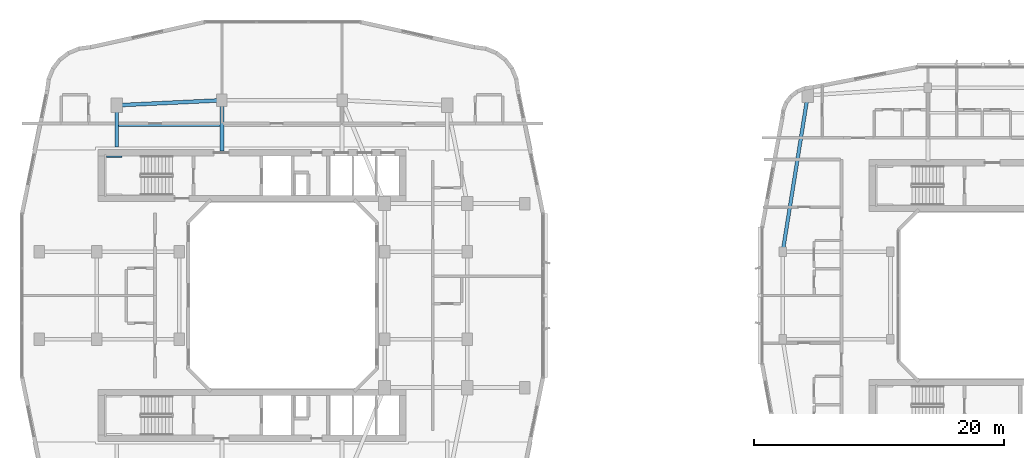
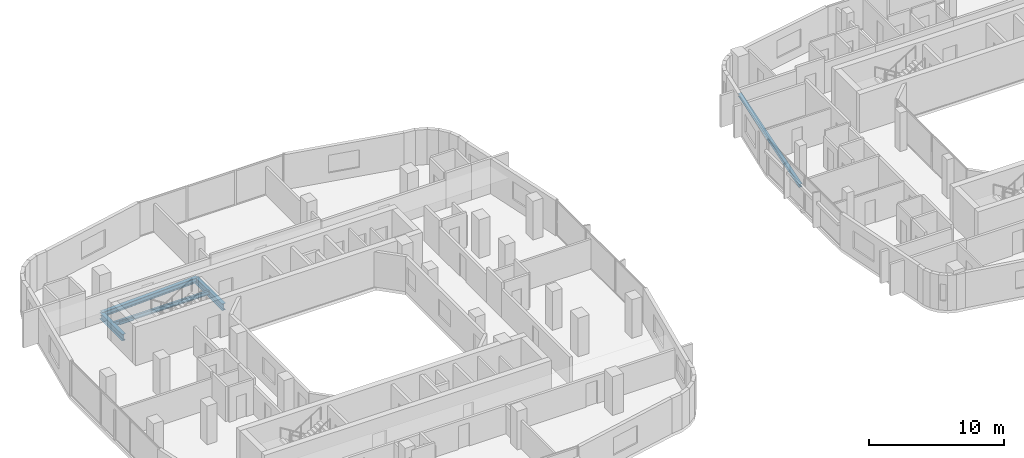
# One storey, part 6 of 25: 6 beams.
"""IFC4 building model written with IfcOpenShell, lengths in metres."""

from ifc_helpers import new_model, si_unit, derived_unit, direction, frame, origin, origin_2d, place, context, subcontext, project, spatial, i_section, extrude, material, material_profile, profile_set, type_object, element, save


model = new_model("IFC4")

# Units and contexts
model_context = context("Model", 3, precision=1e-05, world=origin(), true_north=direction((0.0, 1.0)))
body_context = subcontext(model_context, "Body", "Model", "MODEL_VIEW")
ifc_project = project(units=[si_unit("LENGTHUNIT", "METRE"), si_unit("AREAUNIT", "SQUARE_METRE"), si_unit("VOLUMEUNIT", "CUBIC_METRE"), si_unit("PLANEANGLEUNIT", "RADIAN"), si_unit("MASSUNIT", "GRAM", prefix="KILO"), derived_unit("THERMALTRANSMITTANCEUNIT", [(si_unit("POWERUNIT", "WATT"), 1), (si_unit("LENGTHUNIT", "METRE"), -2), (si_unit("THERMODYNAMICTEMPERATUREUNIT", "KELVIN"), -1)])], contexts=[model_context])

# Site, building, storey
site_placement = place(None, origin())
site = spatial("IfcSite", under=ifc_project, at=site_placement, CompositionType="ELEMENT")
building_placement = place(site_placement, origin())
building = spatial("IfcBuilding", under=site, at=building_placement, Name="Kivonza Crest Hotel", CompositionType="ELEMENT")
storey_placement = place(building_placement, frame((0.0, 0.0, 87.0)))
storey = spatial("IfcBuildingStorey", under=building, at=storey_placement, Name="L23", CompositionType="ELEMENT", Elevation=87.0)

# Beams
ifc_material = material(Name="Steel S355", Category="steel")
ifc_material_profile_1 = material_profile(ifc_material, i_section(OverallWidth=0.280029296875, OverallDepth=0.280029296875, WebThickness=0.010498046875, FlangeThickness=0.01806640625, FilletRadius=0.02392578125, at=origin_2d()), Name="HEB 280")
ifc_profile_set_1 = profile_set([ifc_material_profile_1], Name="Steel S355")
beam_type_1 = type_object("IfcBeamType", Name="BM-HEB280", PredefinedType="SPANDREL", material=ifc_profile_set_1)
beam_1_placement = place(storey_placement, frame((63.0, 41.0, -0.389892578125), z_axis=(-0.157990501107, -0.987440631917, 0.0), x_axis=(0.987440631917, -0.157990501107, 0.0)))
element("IfcBeam", 1, at=beam_1_placement, inside=storey, type_object=beam_type_1, Name="Companion Tower T2 L23 perimeter spandrel NW-W2", PredefinedType="SPANDREL", context=body_context, shape_type="SweptSolid", body=[
    extrude(i_section(OverallWidth=0.280029296875, OverallDepth=0.280029296875, WebThickness=0.010498046875, FlangeThickness=0.01806640625, FilletRadius=0.02392578125, at=origin_2d()), origin(), (0.0, 0.0, 1.0), 12.658935546875),
])
ifc_material_profile_2 = material_profile(ifc_material, i_section(OverallWidth=0.300048828125, OverallDepth=0.449951171875, WebThickness=0.013916015625, FlangeThickness=0.02587890625, FilletRadius=0.027099609375, at=origin_2d()), Name="HEB 450")
ifc_profile_set_2 = profile_set([ifc_material_profile_2], Name="Steel S355")
beam_type_2 = type_object("IfcBeamType", Name="BM-HEB450", PredefinedType="SPANDREL", material=ifc_profile_set_2)
beam_2_placement = place(storey_placement, frame((16.199951171875, 40.60009765625, -0.5048828125), z_axis=(-0.998867283688, -0.047583080799, 0.0), x_axis=(0.047583080799, -0.998867283688, 0.0)))
element("IfcBeam", 2, at=beam_2_placement, inside=storey, type_object=beam_type_2, Name="Tower T1 L23 perimeter spandrel N1-NW", PredefinedType="SPANDREL", context=body_context, shape_type="SweptSolid", body=[
    extrude(i_section(OverallWidth=0.300048828125, OverallDepth=0.449951171875, WebThickness=0.013916015625, FlangeThickness=0.02587890625, FilletRadius=0.027099609375, at=origin_2d()), origin(), (0.0, 0.0, 1.0), 8.409423828125),
])
ifc_material_profile_3 = material_profile(ifc_material, i_section(OverallWidth=0.300048828125, OverallDepth=0.60009765625, WebThickness=0.015380859375, FlangeThickness=0.030029296875, FilletRadius=0.027099609375, at=origin_2d()), Name="HEB 600")
ifc_profile_set_3 = profile_set([ifc_material_profile_3], Name="Steel S355")
beam_type_3 = type_object("IfcBeamType", Name="BM-HEB600", PredefinedType="BEAM", material=ifc_profile_set_3)
beam_3_placement = place(storey_placement, frame((7.800048828125, 40.199951171875, -0.580078125), z_axis=(0.0, -1.0, 0.0), x_axis=(1.0, 0.0, 0.0)))
element("IfcBeam", 3, at=beam_3_placement, inside=storey, type_object=beam_type_3, Name="Tower T1 L23 radial core girder RNW", PredefinedType="BEAM", context=body_context, shape_type="SweptSolid", body=[
    extrude(i_section(OverallWidth=0.300048828125, OverallDepth=0.60009765625, WebThickness=0.015380859375, FlangeThickness=0.030029296875, FilletRadius=0.027099609375, at=origin_2d()), origin(), (0.0, 0.0, 1.0), 3.349853515625),
])
beam_4_placement = place(storey_placement, frame((16.199951171875, 40.60009765625, -0.580078125), z_axis=(0.0, -1.0, 0.0), x_axis=(1.0, 0.0, 0.0)))
element("IfcBeam", 4, at=beam_4_placement, inside=storey, type_object=beam_type_3, Name="Tower T1 L23 radial core girder RN1", PredefinedType="BEAM", context=body_context, shape_type="SweptSolid", body=[
    extrude(i_section(OverallWidth=0.300048828125, OverallDepth=0.60009765625, WebThickness=0.015380859375, FlangeThickness=0.030029296875, FilletRadius=0.027099609375, at=origin_2d()), origin(), (0.0, 0.0, 1.0), 4.050048828125),
])
ifc_material_profile_4 = material_profile(ifc_material, i_section(OverallWidth=0.169921875, OverallDepth=0.360107421875, WebThickness=0.008056640625, FlangeThickness=0.0126953125, FilletRadius=0.01806640625, at=origin_2d()), Name="IPE 360")
ifc_profile_set_4 = profile_set([ifc_material_profile_4], Name="Steel S355")
beam_type_4 = type_object("IfcBeamType", Name="BM-IPE360", PredefinedType="JOIST", material=ifc_profile_set_4)
beam_5_placement = place(storey_placement, frame((7.8798828125, 38.60009765625, -0.4599609375), z_axis=(1.0, 0.0, 0.0), x_axis=(0.0, 1.0, 0.0)))
element("IfcBeam", 5, at=beam_5_placement, inside=storey, type_object=beam_type_4, Name="Tower T1 L23 North-West floor joist", PredefinedType="JOIST", context=body_context, shape_type="SweptSolid", body=[
    extrude(i_section(OverallWidth=0.169921875, OverallDepth=0.360107421875, WebThickness=0.008056640625, FlangeThickness=0.0126953125, FilletRadius=0.01806640625, at=origin_2d()), origin(), (0.0, 0.0, 1.0), 8.240234375),
])
ifc_material_profile_5 = material_profile(ifc_material, i_section(OverallWidth=0.1201171875, OverallDepth=0.239990234375, WebThickness=0.006103515625, FlangeThickness=0.009765625, FilletRadius=0.014892578125, at=origin_2d()), Name="IPE 240")
ifc_profile_set_5 = profile_set([ifc_material_profile_5], Name="Steel S355")
beam_type_5 = type_object("IfcBeamType", Name="BM-LLDG-240", PredefinedType="BEAM", material=ifc_profile_set_5)
beam_6_placement = place(storey_placement, frame((6.989990234375, 36.10009765625, 1.429931640625), z_axis=(1.0, 0.0, 0.0), x_axis=(0.0, 1.0, 0.0)))
element("IfcBeam", 6, at=beam_6_placement, inside=storey, type_object=beam_type_5, Name="Stair ST-T1-N L23 North landing corbel", PredefinedType="BEAM", context=body_context, shape_type="SweptSolid", body=[
    extrude(i_section(OverallWidth=0.1201171875, OverallDepth=0.239990234375, WebThickness=0.006103515625, FlangeThickness=0.009765625, FilletRadius=0.014892578125, at=origin_2d()), origin(), (0.0, 0.0, 1.0), 1.2099609375),
])

save(model, "model.ifc")
